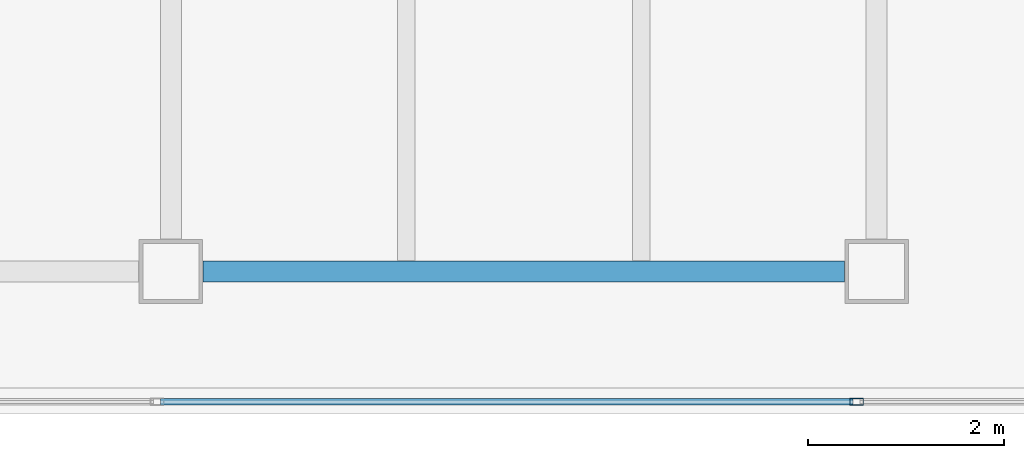
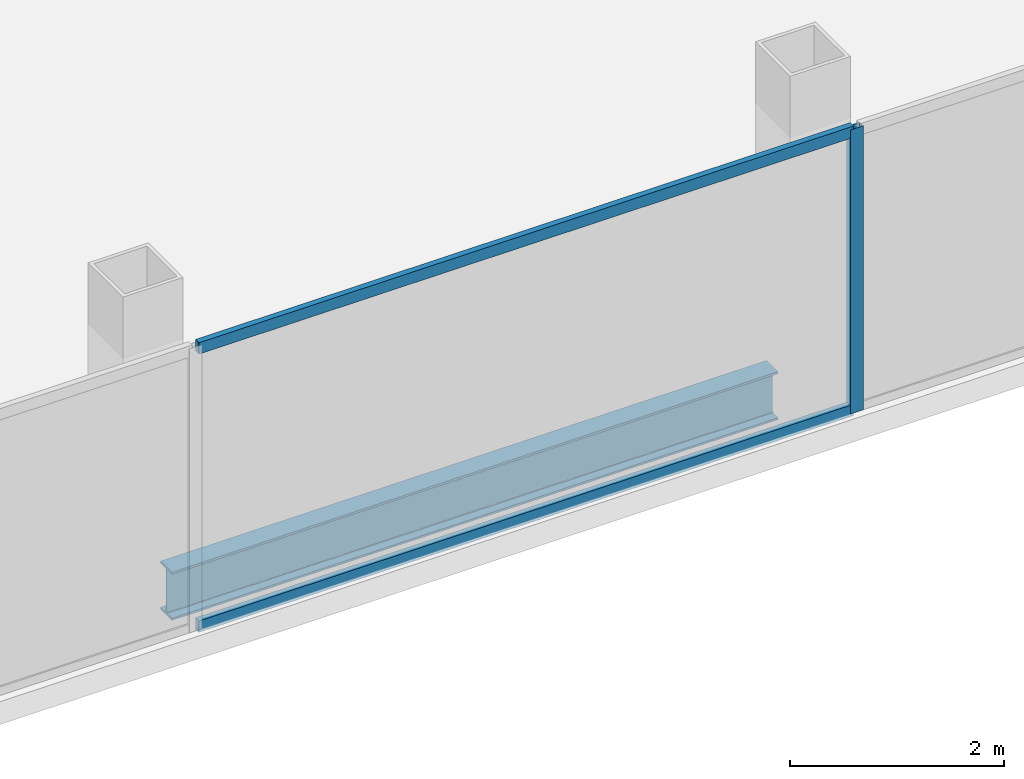
# One storey, part 12 of 23: 3 members, 1 beam, 1 element without a shape of its own.
"""IFC4 building model written with IfcOpenShell, lengths in metres."""

from ifc_helpers import new_model, si_unit, direction, frame, origin, origin_2d, place, context, subcontext, project, spatial, hollow_rectangle, i_section, extrude, material, material_profile, profile_set, type_object, element, aggregate, save


model = new_model("IFC4")

# Units and contexts
model_context = context("Model", 3, precision=1e-05, world=origin(), true_north=direction((0.0, 1.0)))
body_context = subcontext(model_context, "Body", "Model", "MODEL_VIEW")
ifc_project = project(units=[si_unit("LENGTHUNIT", "METRE"), si_unit("AREAUNIT", "SQUARE_METRE"), si_unit("VOLUMEUNIT", "CUBIC_METRE"), si_unit("PLANEANGLEUNIT", "RADIAN"), si_unit("MASSUNIT", "GRAM", prefix="KILO")], contexts=[model_context])

# Site, building, storey
site_placement = place(None, origin())
site = spatial("IfcSite", under=ifc_project, at=site_placement, CompositionType="ELEMENT")
building_placement = place(site_placement, origin())
building = spatial("IfcBuilding", under=site, at=building_placement, Name="Cobrela Telecom Tower", CompositionType="ELEMENT")
storey_placement = place(building_placement, frame((0.0, 0.0, 251.64990234375)))
storey = spatial("IfcBuildingStorey", under=building, at=storey_placement, Name="L65", CompositionType="ELEMENT", Elevation=251.64990234375)

# Beam
ifc_material_1 = material(Name="Steel ASTM A992 Grade 50", Category="steel")
ifc_material_profile_1 = material_profile(ifc_material_1, i_section(OverallWidth=0.212890625, OverallDepth=0.549072265625, WebThickness=0.0146484375, FlangeThickness=0.023681640625, FilletRadius=0.013916015625, at=origin_2d()), Name="W21X93")
ifc_profile_set_1 = profile_set([ifc_material_profile_1], Name="Steel ASTM A992 Grade 50")
beam_type = type_object("IfcBeamType", Name="BM-GIRD-08", PredefinedType="USERDEFINED", material=ifc_profile_set_1)
beam_placement = place(storey_placement, frame((29.1298828125, 7.85009765625, -0.534423828125), z_axis=(1.0, 0.0, 0.0), x_axis=(0.0, 1.0, 0.0)))
element("IfcBeam", 1, at=beam_placement, inside=storey, type_object=beam_type, Name="L65 Primary Girder X04", ObjectType="GIRDER", PredefinedType="USERDEFINED", context=body_context, shape_type="SweptSolid", body=[
    extrude(i_section(OverallWidth=0.212890625, OverallDepth=0.549072265625, WebThickness=0.0146484375, FlangeThickness=0.023681640625, FilletRadius=0.013916015625, at=origin_2d()), origin(), (0.0, 0.0, 1.0), 6.5400390625),
])

# Curtain wall, members
ifc_material_2 = material(Name="Anodized Bronze Aluminium 6063-T6", Category="aluminium")
curtain_wall_type = type_object("IfcCurtainWallType", Name="CW-SYS-OFF-HI", PredefinedType="USERDEFINED", material=ifc_material_2)
curtain_wall_placement = place(storey_placement, origin())
curtain_wall = element("IfcCurtainWall", 2, at=curtain_wall_placement, inside=storey, type_object=curtain_wall_type, Name="L65 Unitised Bronze Curtain Wall 15", ObjectType="UNITISED CURTAIN WALL", PredefinedType="USERDEFINED")
ifc_material_profile_2 = material_profile(ifc_material_2, hollow_rectangle(XDim=0.070068359375, YDim=0.139892578125, WallThickness=0.00390625, at=origin_2d()), Name="ALU 70x140x4")
ifc_profile_set_2 = profile_set([ifc_material_profile_2], Name="Anodized Bronze Aluminium 6063-T6")
member_type_1 = type_object("IfcMemberType", Name="CW-SYS-OFF-HI-MUL", PredefinedType="MULLION", material=ifc_profile_set_2)
member_1_placement = place(storey_placement, frame((35.794921875, 6.52001953125, 0.0), z_axis=(0.0, 0.0, 1.0), x_axis=(0.0, -1.0, 0.0)))
member_1 = element("IfcMember", 3, at=member_1_placement, type_object=member_type_1, Name="CW-OFF-HI mullion 2", PredefinedType="MULLION", context=body_context, shape_type="SweptSolid", body=[
    extrude(hollow_rectangle(XDim=0.070068359375, YDim=0.139892578125, WallThickness=0.00390625, at=origin_2d()), origin(), (0.0, 0.0, 1.0), 3.239990234375),
])
ifc_material_profile_3 = material_profile(ifc_material_2, hollow_rectangle(XDim=0.06494140625, YDim=0.1298828125, WallThickness=0.00390625, at=origin_2d()), Name="ALU 65x130x4")
ifc_profile_set_3 = profile_set([ifc_material_profile_3], Name="Anodized Bronze Aluminium 6063-T6")
member_type_2 = type_object("IfcMemberType", Name="CW-SYS-OFF-HI-TRN", PredefinedType="USERDEFINED", material=ifc_profile_set_3)
member_2_placement = place(storey_placement, frame((35.760009765625, 6.52001953125, 0.03271484375), z_axis=(-1.0, 0.0, 0.0), x_axis=(0.0, -1.0, 0.0)))
member_2 = element("IfcMember", 4, at=member_2_placement, type_object=member_type_2, Name="CW-OFF-HI transom 2.1", ObjectType="TRANSOM", PredefinedType="USERDEFINED", context=body_context, shape_type="SweptSolid", body=[
    extrude(hollow_rectangle(XDim=0.06494140625, YDim=0.1298828125, WallThickness=0.00390625, at=origin_2d()), origin(), (0.0, 0.0, 1.0), 7.06494140625),
])
member_3_placement = place(storey_placement, frame((35.760009765625, 6.52001953125, 3.20751953125), z_axis=(-1.0, 0.0, 0.0), x_axis=(0.0, -1.0, 0.0)))
member_3 = element("IfcMember", 5, at=member_3_placement, type_object=member_type_2, Name="CW-OFF-HI transom 2.2", ObjectType="TRANSOM", PredefinedType="USERDEFINED", context=body_context, shape_type="SweptSolid", body=[
    extrude(hollow_rectangle(XDim=0.06494140625, YDim=0.1298828125, WallThickness=0.00390625, at=origin_2d()), origin(), (0.0, 0.0, 1.0), 7.06494140625),
])
aggregate(curtain_wall, [member_1, member_2, member_3])

save(model, "model.ifc")
